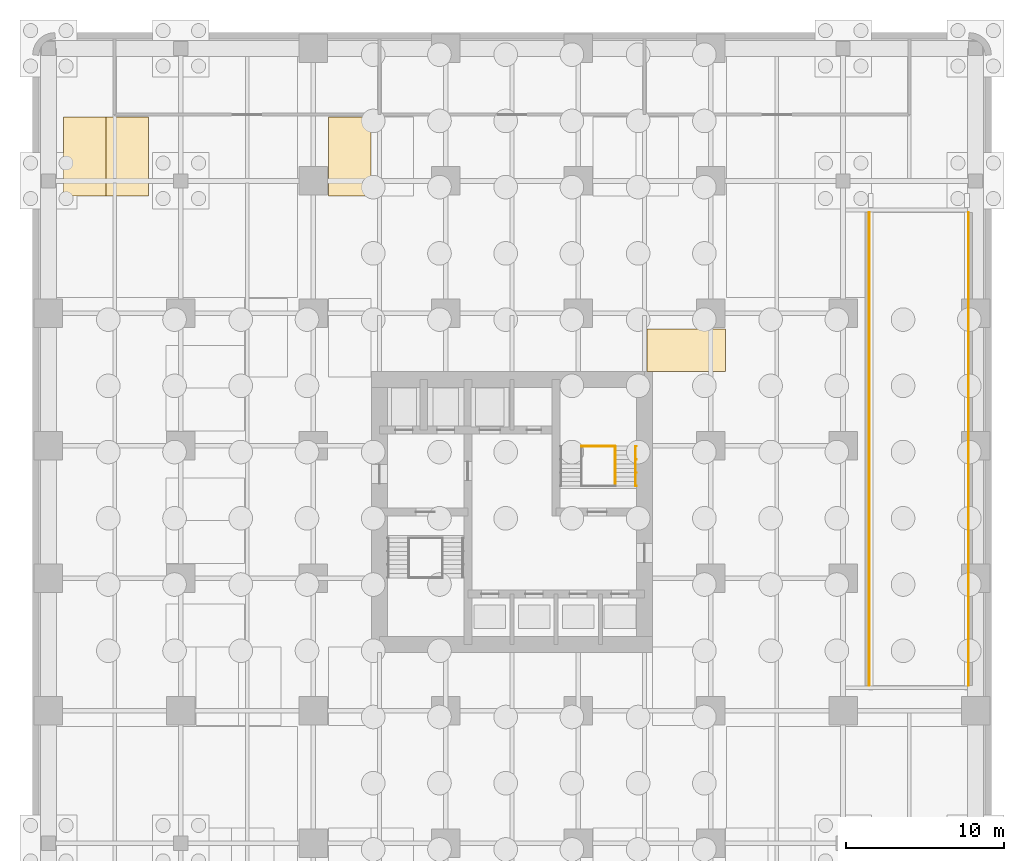
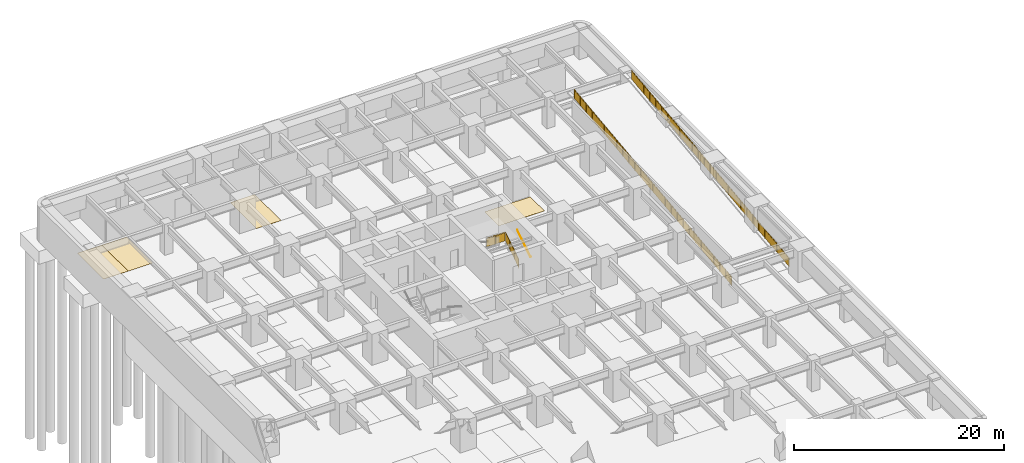
# One storey, part 9 of 11: 5 railings, 4 coverings.
"""IFC4 building model written with IfcOpenShell, lengths in metres."""

from ifc_helpers import new_model, si_unit, direction, frame, origin, origin_2d, place, context, subcontext, project, spatial, polyline, circle, outline, extrude, material, layer, layer_set, type_object, element, save


model = new_model("IFC4")

# Units and contexts
model_context = context("Model", 3, precision=1e-05, world=origin(), true_north=direction((0.0, 1.0)))
body_context = subcontext(model_context, "Body", "Model", "MODEL_VIEW")
ifc_project = project(units=[si_unit("LENGTHUNIT", "METRE"), si_unit("AREAUNIT", "SQUARE_METRE"), si_unit("VOLUMEUNIT", "CUBIC_METRE"), si_unit("PLANEANGLEUNIT", "RADIAN"), si_unit("MASSUNIT", "GRAM", prefix="KILO")], contexts=[model_context])

# Site, building, storey
site_placement = place(None, origin())
site = spatial("IfcSite", under=ifc_project, at=site_placement, CompositionType="ELEMENT")
building_placement = place(site_placement, origin())
building = spatial("IfcBuilding", under=site, at=building_placement, Name="Torre Alcanfor", CompositionType="ELEMENT")
storey_placement = place(building_placement, frame((0.0, 0.0, -7.199951171875)))
storey = spatial("IfcBuildingStorey", under=building, at=storey_placement, Name="B2", CompositionType="ELEMENT", Elevation=-7.199951171875)

# Coverings
ifc_material_1 = material(Name="Line-marking paint on sealed concrete", Category="concrete")
ifc_layer = layer(ifc_material_1, 0.0029296875)
ifc_layer_set = layer_set([ifc_layer], Name="Parking bay marking 2700x5000")
covering_type = type_object("IfcCoveringType", Name="Parking bay marking 2700x5000", PredefinedType="USERDEFINED", material=ifc_layer_set)
covering_1_placement = place(storey_placement, origin())
element("IfcCovering", 1, at=covering_1_placement, inside=storey, type_object=covering_type, Name="Parking bay 240", ObjectType="PARKING BAY", PredefinedType="USERDEFINED", context=body_context, shape_type="SweptSolid", body=[
    extrude(outline(polyline([(37.949951171875, 38.300048828125), (42.949951171875, 38.300048828125), (42.949951171875, 41.0), (37.949951171875, 41.0), (37.949951171875, 38.300048828125)])), origin(), (0.0, 0.0, 1.0), 0.0029296875),
])
covering_2_placement = place(storey_placement, origin())
element("IfcCovering", 2, at=covering_2_placement, inside=storey, type_object=covering_type, Name="Parking bay 241", ObjectType="PARKING BAY", PredefinedType="USERDEFINED", context=body_context, shape_type="SweptSolid", body=[
    extrude(outline(polyline([(0.949951171875, 49.449951171875), (3.64990234375, 49.449951171875), (3.64990234375, 54.449951171875), (0.949951171875, 54.449951171875), (0.949951171875, 49.449951171875)])), origin(), (0.0, 0.0, 1.0), 0.0029296875),
])
covering_3_placement = place(storey_placement, origin())
element("IfcCovering", 3, at=covering_3_placement, inside=storey, type_object=covering_type, Name="Parking bay 242", ObjectType="PARKING BAY", PredefinedType="USERDEFINED", context=body_context, shape_type="SweptSolid", body=[
    extrude(outline(polyline([(3.64990234375, 49.449951171875), (6.35009765625, 49.449951171875), (6.35009765625, 54.449951171875), (3.64990234375, 54.449951171875), (3.64990234375, 49.449951171875)])), origin(), (0.0, 0.0, 1.0), 0.0029296875),
])
covering_4_placement = place(storey_placement, origin())
element("IfcCovering", 4, at=covering_4_placement, inside=storey, type_object=covering_type, Name="Parking bay 243", ObjectType="PARKING BAY", PredefinedType="USERDEFINED", context=body_context, shape_type="SweptSolid", body=[
    extrude(outline(polyline([(17.75, 49.449951171875), (20.449951171875, 49.449951171875), (20.449951171875, 54.449951171875), (17.75, 54.449951171875), (17.75, 49.449951171875)])), origin(), (0.0, 0.0, 1.0), 0.0029296875),
])

# Railings
ifc_material_2 = material(Name="Steel ASTM A500 Grade C hollow sections, hot-dip galvanised ASTM A123", Category="steel")
railing_type_1 = type_object("IfcRailingType", Name="Ramp guard 1100", PredefinedType="GUARDRAIL", material=ifc_material_2)
railing_1_placement = place(storey_placement, frame((52.050048828125, 18.39990234375, 0.14990234375)))
element("IfcRailing", 5, at=railing_1_placement, inside=storey, type_object=railing_type_1, Name="Ramp guard R2 1", PredefinedType="GUARDRAIL", context=body_context, shape_type="SweptSolid", body=[
    extrude(circle(Radius=0.02392578125, at=origin_2d()), frame((0.0, 0.0, 1.076171875), z_axis=(0.0, 0.992876456145, 0.119148406757), x_axis=(-1.0, 0.0, 0.0)), (0.0, 0.0, 1.0), 30.21533203125),
    extrude(circle(Radius=0.02099609375, at=origin_2d()), origin(), (0.0, 0.0, 1.0), 1.052001953125),
    extrude(circle(Radius=0.02099609375, at=origin_2d()), frame((0.0, 1.15380859375, 0.138427734375)), (0.0, 0.0, 1.0), 1.052001953125),
    extrude(circle(Radius=0.02099609375, at=origin_2d()), frame((0.0, 2.3076171875, 0.27685546875)), (0.0, 0.0, 1.0), 1.052001953125),
    extrude(circle(Radius=0.02099609375, at=origin_2d()), frame((0.0, 3.46142578125, 0.415283203125)), (0.0, 0.0, 1.0), 1.052001953125),
    extrude(circle(Radius=0.02099609375, at=origin_2d()), frame((0.0, 4.615478515625, 0.553955078125)), (0.0, 0.0, 1.0), 1.052001953125),
    extrude(circle(Radius=0.02099609375, at=origin_2d()), frame((0.0, 5.769287109375, 0.6923828125)), (0.0, 0.0, 1.0), 1.052001953125),
    extrude(circle(Radius=0.02099609375, at=origin_2d()), frame((0.0, 6.923095703125, 0.830810546875)), (0.0, 0.0, 1.0), 1.052001953125),
    extrude(circle(Radius=0.02099609375, at=origin_2d()), frame((0.0, 8.076904296875, 0.96923828125)), (0.0, 0.0, 1.0), 1.052001953125),
    extrude(circle(Radius=0.02099609375, at=origin_2d()), frame((0.0, 9.230712890625, 1.107666015625)), (0.0, 0.0, 1.0), 1.052001953125),
    extrude(circle(Radius=0.02099609375, at=origin_2d()), frame((0.0, 10.384521484375, 1.24609375)), (0.0, 0.0, 1.0), 1.052001953125),
    extrude(circle(Radius=0.02099609375, at=origin_2d()), frame((0.0, 11.53857421875, 1.384765625)), (0.0, 0.0, 1.0), 1.052001953125),
    extrude(circle(Radius=0.02099609375, at=origin_2d()), frame((0.0, 12.6923828125, 1.523193359375)), (0.0, 0.0, 1.0), 1.052001953125),
    extrude(circle(Radius=0.02099609375, at=origin_2d()), frame((0.0, 13.84619140625, 1.66162109375)), (0.0, 0.0, 1.0), 1.052001953125),
    extrude(circle(Radius=0.02099609375, at=origin_2d()), frame((0.0, 15.0, 1.800048828125)), (0.0, 0.0, 1.0), 1.052001953125),
    extrude(circle(Radius=0.02099609375, at=origin_2d()), frame((0.0, 16.15380859375, 1.9384765625)), (0.0, 0.0, 1.0), 1.052001953125),
    extrude(circle(Radius=0.02099609375, at=origin_2d()), frame((0.0, 17.3076171875, 2.076904296875)), (0.0, 0.0, 1.0), 1.052001953125),
    extrude(circle(Radius=0.02099609375, at=origin_2d()), frame((0.0, 18.46142578125, 2.21533203125)), (0.0, 0.0, 1.0), 1.052001953125),
    extrude(circle(Radius=0.02099609375, at=origin_2d()), frame((0.0, 19.615478515625, 2.35400390625)), (0.0, 0.0, 1.0), 1.052001953125),
    extrude(circle(Radius=0.02099609375, at=origin_2d()), frame((0.0, 20.769287109375, 2.492431640625)), (0.0, 0.0, 1.0), 1.052001953125),
    extrude(circle(Radius=0.02099609375, at=origin_2d()), frame((0.0, 21.923095703125, 2.630859375)), (0.0, 0.0, 1.0), 1.052001953125),
    extrude(circle(Radius=0.02099609375, at=origin_2d()), frame((0.0, 23.076904296875, 2.769287109375)), (0.0, 0.0, 1.0), 1.052001953125),
    extrude(circle(Radius=0.02099609375, at=origin_2d()), frame((0.0, 24.230712890625, 2.90771484375)), (0.0, 0.0, 1.0), 1.052001953125),
    extrude(circle(Radius=0.02099609375, at=origin_2d()), frame((0.0, 25.384521484375, 3.046142578125)), (0.0, 0.0, 1.0), 1.052001953125),
    extrude(circle(Radius=0.02099609375, at=origin_2d()), frame((0.0, 26.53857421875, 3.184814453125)), (0.0, 0.0, 1.0), 1.052001953125),
    extrude(circle(Radius=0.02099609375, at=origin_2d()), frame((0.0, 27.6923828125, 3.3232421875)), (0.0, 0.0, 1.0), 1.052001953125),
    extrude(circle(Radius=0.02099609375, at=origin_2d()), frame((0.0, 28.84619140625, 3.461669921875)), (0.0, 0.0, 1.0), 1.052001953125),
    extrude(circle(Radius=0.02099609375, at=origin_2d()), frame((0.0, 30.0, 3.60009765625)), (0.0, 0.0, 1.0), 1.052001953125),
    extrude(outline(polyline([(0.041015625, 0.054931640625), (1.11279296875, 0.18359375), (1.11279296875, 1.135498046875), (0.041015625, 1.0068359375), (0.041015625, 0.054931640625)])), frame((-0.005859375, 0.0, 0.0), z_axis=(1.0, 0.0, 0.0), x_axis=(0.0, 1.0, 0.0)), (0.0, 0.0, 1.0), 0.011962890625),
    extrude(outline(polyline([(1.19482421875, 0.193359375), (2.2666015625, 0.322021484375), (2.2666015625, 1.27392578125), (1.19482421875, 1.145263671875), (1.19482421875, 0.193359375)])), frame((-0.005859375, 0.0, 0.0), z_axis=(1.0, 0.0, 0.0), x_axis=(0.0, 1.0, 0.0)), (0.0, 0.0, 1.0), 0.011962890625),
    extrude(outline(polyline([(2.3486328125, 0.331787109375), (3.420654296875, 0.46044921875), (3.420654296875, 1.41259765625), (2.3486328125, 1.283935546875), (2.3486328125, 0.331787109375)])), frame((-0.005859375, 0.0, 0.0), z_axis=(1.0, 0.0, 0.0), x_axis=(0.0, 1.0, 0.0)), (0.0, 0.0, 1.0), 0.011962890625),
    extrude(outline(polyline([(3.50244140625, 0.47021484375), (4.574462890625, 0.598876953125), (4.574462890625, 1.551025390625), (3.50244140625, 1.42236328125), (3.50244140625, 0.47021484375)])), frame((-0.005859375, 0.0, 0.0), z_axis=(1.0, 0.0, 0.0), x_axis=(0.0, 1.0, 0.0)), (0.0, 0.0, 1.0), 0.011962890625),
    extrude(outline(polyline([(4.656494140625, 0.60888671875), (5.728271484375, 0.7373046875), (5.728271484375, 1.689453125), (4.656494140625, 1.560791015625), (4.656494140625, 0.60888671875)])), frame((-0.005859375, 0.0, 0.0), z_axis=(1.0, 0.0, 0.0), x_axis=(0.0, 1.0, 0.0)), (0.0, 0.0, 1.0), 0.011962890625),
    extrude(outline(polyline([(5.810302734375, 0.747314453125), (6.882080078125, 0.8759765625), (6.882080078125, 1.827880859375), (5.810302734375, 1.69921875), (5.810302734375, 0.747314453125)])), frame((-0.005859375, 0.0, 0.0), z_axis=(1.0, 0.0, 0.0), x_axis=(0.0, 1.0, 0.0)), (0.0, 0.0, 1.0), 0.011962890625),
    extrude(outline(polyline([(6.964111328125, 0.8857421875), (8.035888671875, 1.014404296875), (8.035888671875, 1.96630859375), (6.964111328125, 1.837646484375), (6.964111328125, 0.8857421875)])), frame((-0.005859375, 0.0, 0.0), z_axis=(1.0, 0.0, 0.0), x_axis=(0.0, 1.0, 0.0)), (0.0, 0.0, 1.0), 0.011962890625),
    extrude(outline(polyline([(8.117919921875, 1.024169921875), (9.189697265625, 1.15283203125), (9.189697265625, 2.104736328125), (8.117919921875, 1.97607421875), (8.117919921875, 1.024169921875)])), frame((-0.005859375, 0.0, 0.0), z_axis=(1.0, 0.0, 0.0), x_axis=(0.0, 1.0, 0.0)), (0.0, 0.0, 1.0), 0.011962890625),
    extrude(outline(polyline([(9.271728515625, 1.16259765625), (10.343505859375, 1.291259765625), (10.343505859375, 2.2431640625), (9.271728515625, 2.11474609375), (9.271728515625, 1.16259765625)])), frame((-0.005859375, 0.0, 0.0), z_axis=(1.0, 0.0, 0.0), x_axis=(0.0, 1.0, 0.0)), (0.0, 0.0, 1.0), 0.011962890625),
    extrude(outline(polyline([(10.425537109375, 1.301025390625), (11.49755859375, 1.4296875), (11.49755859375, 2.3818359375), (10.425537109375, 2.253173828125), (10.425537109375, 1.301025390625)])), frame((-0.005859375, 0.0, 0.0), z_axis=(1.0, 0.0, 0.0), x_axis=(0.0, 1.0, 0.0)), (0.0, 0.0, 1.0), 0.011962890625),
    extrude(outline(polyline([(11.579345703125, 1.439453125), (12.6513671875, 1.568115234375), (12.6513671875, 2.520263671875), (11.579345703125, 2.3916015625), (11.579345703125, 1.439453125)])), frame((-0.005859375, 0.0, 0.0), z_axis=(1.0, 0.0, 0.0), x_axis=(0.0, 1.0, 0.0)), (0.0, 0.0, 1.0), 0.011962890625),
    extrude(outline(polyline([(12.7333984375, 1.578125), (13.80517578125, 1.70654296875), (13.80517578125, 2.65869140625), (12.7333984375, 2.530029296875), (12.7333984375, 1.578125)])), frame((-0.005859375, 0.0, 0.0), z_axis=(1.0, 0.0, 0.0), x_axis=(0.0, 1.0, 0.0)), (0.0, 0.0, 1.0), 0.011962890625),
    extrude(outline(polyline([(13.88720703125, 1.716552734375), (14.958984375, 1.84521484375), (14.958984375, 2.797119140625), (13.88720703125, 2.66845703125), (13.88720703125, 1.716552734375)])), frame((-0.005859375, 0.0, 0.0), z_axis=(1.0, 0.0, 0.0), x_axis=(0.0, 1.0, 0.0)), (0.0, 0.0, 1.0), 0.011962890625),
    extrude(outline(polyline([(15.041015625, 1.85498046875), (16.11279296875, 1.983642578125), (16.11279296875, 2.935546875), (15.041015625, 2.806884765625), (15.041015625, 1.85498046875)])), frame((-0.005859375, 0.0, 0.0), z_axis=(1.0, 0.0, 0.0), x_axis=(0.0, 1.0, 0.0)), (0.0, 0.0, 1.0), 0.011962890625),
    extrude(outline(polyline([(16.19482421875, 1.993408203125), (17.2666015625, 2.1220703125), (17.2666015625, 3.073974609375), (16.19482421875, 2.9453125), (16.19482421875, 1.993408203125)])), frame((-0.005859375, 0.0, 0.0), z_axis=(1.0, 0.0, 0.0), x_axis=(0.0, 1.0, 0.0)), (0.0, 0.0, 1.0), 0.011962890625),
    extrude(outline(polyline([(17.3486328125, 2.1318359375), (18.420654296875, 2.260498046875), (18.420654296875, 3.212646484375), (17.3486328125, 3.083984375), (17.3486328125, 2.1318359375)])), frame((-0.005859375, 0.0, 0.0), z_axis=(1.0, 0.0, 0.0), x_axis=(0.0, 1.0, 0.0)), (0.0, 0.0, 1.0), 0.011962890625),
    extrude(outline(polyline([(18.50244140625, 2.270263671875), (19.574462890625, 2.39892578125), (19.574462890625, 3.35107421875), (18.50244140625, 3.222412109375), (18.50244140625, 2.270263671875)])), frame((-0.005859375, 0.0, 0.0), z_axis=(1.0, 0.0, 0.0), x_axis=(0.0, 1.0, 0.0)), (0.0, 0.0, 1.0), 0.011962890625),
    extrude(outline(polyline([(19.656494140625, 2.408935546875), (20.728271484375, 2.537353515625), (20.728271484375, 3.489501953125), (19.656494140625, 3.36083984375), (19.656494140625, 2.408935546875)])), frame((-0.005859375, 0.0, 0.0), z_axis=(1.0, 0.0, 0.0), x_axis=(0.0, 1.0, 0.0)), (0.0, 0.0, 1.0), 0.011962890625),
    extrude(outline(polyline([(20.810302734375, 2.54736328125), (21.882080078125, 2.676025390625), (21.882080078125, 3.6279296875), (20.810302734375, 3.499267578125), (20.810302734375, 2.54736328125)])), frame((-0.005859375, 0.0, 0.0), z_axis=(1.0, 0.0, 0.0), x_axis=(0.0, 1.0, 0.0)), (0.0, 0.0, 1.0), 0.011962890625),
    extrude(outline(polyline([(21.964111328125, 2.685791015625), (23.035888671875, 2.814453125), (23.035888671875, 3.766357421875), (21.964111328125, 3.6376953125), (21.964111328125, 2.685791015625)])), frame((-0.005859375, 0.0, 0.0), z_axis=(1.0, 0.0, 0.0), x_axis=(0.0, 1.0, 0.0)), (0.0, 0.0, 1.0), 0.011962890625),
    extrude(outline(polyline([(23.117919921875, 2.82421875), (24.189697265625, 2.952880859375), (24.189697265625, 3.90478515625), (23.117919921875, 3.776123046875), (23.117919921875, 2.82421875)])), frame((-0.005859375, 0.0, 0.0), z_axis=(1.0, 0.0, 0.0), x_axis=(0.0, 1.0, 0.0)), (0.0, 0.0, 1.0), 0.011962890625),
    extrude(outline(polyline([(24.271728515625, 2.962646484375), (25.343505859375, 3.09130859375), (25.343505859375, 4.043212890625), (24.271728515625, 3.914794921875), (24.271728515625, 2.962646484375)])), frame((-0.005859375, 0.0, 0.0), z_axis=(1.0, 0.0, 0.0), x_axis=(0.0, 1.0, 0.0)), (0.0, 0.0, 1.0), 0.011962890625),
    extrude(outline(polyline([(25.425537109375, 3.10107421875), (26.49755859375, 3.229736328125), (26.49755859375, 4.181884765625), (25.425537109375, 4.05322265625), (25.425537109375, 3.10107421875)])), frame((-0.005859375, 0.0, 0.0), z_axis=(1.0, 0.0, 0.0), x_axis=(0.0, 1.0, 0.0)), (0.0, 0.0, 1.0), 0.011962890625),
    extrude(outline(polyline([(26.579345703125, 3.239501953125), (27.6513671875, 3.3681640625), (27.6513671875, 4.3203125), (26.579345703125, 4.191650390625), (26.579345703125, 3.239501953125)])), frame((-0.005859375, 0.0, 0.0), z_axis=(1.0, 0.0, 0.0), x_axis=(0.0, 1.0, 0.0)), (0.0, 0.0, 1.0), 0.011962890625),
    extrude(outline(polyline([(27.7333984375, 3.378173828125), (28.80517578125, 3.506591796875), (28.80517578125, 4.458740234375), (27.7333984375, 4.330078125), (27.7333984375, 3.378173828125)])), frame((-0.005859375, 0.0, 0.0), z_axis=(1.0, 0.0, 0.0), x_axis=(0.0, 1.0, 0.0)), (0.0, 0.0, 1.0), 0.011962890625),
    extrude(outline(polyline([(28.88720703125, 3.5166015625), (29.958984375, 3.645263671875), (29.958984375, 4.59716796875), (28.88720703125, 4.468505859375), (28.88720703125, 3.5166015625)])), frame((-0.005859375, 0.0, 0.0), z_axis=(1.0, 0.0, 0.0), x_axis=(0.0, 1.0, 0.0)), (0.0, 0.0, 1.0), 0.011962890625),
])
railing_2_placement = place(storey_placement, frame((58.35009765625, 18.39990234375, 0.14990234375)))
element("IfcRailing", 6, at=railing_2_placement, inside=storey, type_object=railing_type_1, Name="Ramp guard R2 2", PredefinedType="GUARDRAIL", context=body_context, shape_type="SweptSolid", body=[
    extrude(circle(Radius=0.02392578125, at=origin_2d()), frame((0.0, 0.0, 1.076171875), z_axis=(0.0, 0.992876456145, 0.119148406757), x_axis=(-1.0, 0.0, 0.0)), (0.0, 0.0, 1.0), 30.21533203125),
    extrude(circle(Radius=0.02099609375, at=origin_2d()), origin(), (0.0, 0.0, 1.0), 1.052001953125),
    extrude(circle(Radius=0.02099609375, at=origin_2d()), frame((0.0, 1.15380859375, 0.138427734375)), (0.0, 0.0, 1.0), 1.052001953125),
    extrude(circle(Radius=0.02099609375, at=origin_2d()), frame((0.0, 2.3076171875, 0.27685546875)), (0.0, 0.0, 1.0), 1.052001953125),
    extrude(circle(Radius=0.02099609375, at=origin_2d()), frame((0.0, 3.46142578125, 0.415283203125)), (0.0, 0.0, 1.0), 1.052001953125),
    extrude(circle(Radius=0.02099609375, at=origin_2d()), frame((0.0, 4.615478515625, 0.553955078125)), (0.0, 0.0, 1.0), 1.052001953125),
    extrude(circle(Radius=0.02099609375, at=origin_2d()), frame((0.0, 5.769287109375, 0.6923828125)), (0.0, 0.0, 1.0), 1.052001953125),
    extrude(circle(Radius=0.02099609375, at=origin_2d()), frame((0.0, 6.923095703125, 0.830810546875)), (0.0, 0.0, 1.0), 1.052001953125),
    extrude(circle(Radius=0.02099609375, at=origin_2d()), frame((0.0, 8.076904296875, 0.96923828125)), (0.0, 0.0, 1.0), 1.052001953125),
    extrude(circle(Radius=0.02099609375, at=origin_2d()), frame((0.0, 9.230712890625, 1.107666015625)), (0.0, 0.0, 1.0), 1.052001953125),
    extrude(circle(Radius=0.02099609375, at=origin_2d()), frame((0.0, 10.384521484375, 1.24609375)), (0.0, 0.0, 1.0), 1.052001953125),
    extrude(circle(Radius=0.02099609375, at=origin_2d()), frame((0.0, 11.53857421875, 1.384765625)), (0.0, 0.0, 1.0), 1.052001953125),
    extrude(circle(Radius=0.02099609375, at=origin_2d()), frame((0.0, 12.6923828125, 1.523193359375)), (0.0, 0.0, 1.0), 1.052001953125),
    extrude(circle(Radius=0.02099609375, at=origin_2d()), frame((0.0, 13.84619140625, 1.66162109375)), (0.0, 0.0, 1.0), 1.052001953125),
    extrude(circle(Radius=0.02099609375, at=origin_2d()), frame((0.0, 15.0, 1.800048828125)), (0.0, 0.0, 1.0), 1.052001953125),
    extrude(circle(Radius=0.02099609375, at=origin_2d()), frame((0.0, 16.15380859375, 1.9384765625)), (0.0, 0.0, 1.0), 1.052001953125),
    extrude(circle(Radius=0.02099609375, at=origin_2d()), frame((0.0, 17.3076171875, 2.076904296875)), (0.0, 0.0, 1.0), 1.052001953125),
    extrude(circle(Radius=0.02099609375, at=origin_2d()), frame((0.0, 18.46142578125, 2.21533203125)), (0.0, 0.0, 1.0), 1.052001953125),
    extrude(circle(Radius=0.02099609375, at=origin_2d()), frame((0.0, 19.615478515625, 2.35400390625)), (0.0, 0.0, 1.0), 1.052001953125),
    extrude(circle(Radius=0.02099609375, at=origin_2d()), frame((0.0, 20.769287109375, 2.492431640625)), (0.0, 0.0, 1.0), 1.052001953125),
    extrude(circle(Radius=0.02099609375, at=origin_2d()), frame((0.0, 21.923095703125, 2.630859375)), (0.0, 0.0, 1.0), 1.052001953125),
    extrude(circle(Radius=0.02099609375, at=origin_2d()), frame((0.0, 23.076904296875, 2.769287109375)), (0.0, 0.0, 1.0), 1.052001953125),
    extrude(circle(Radius=0.02099609375, at=origin_2d()), frame((0.0, 24.230712890625, 2.90771484375)), (0.0, 0.0, 1.0), 1.052001953125),
    extrude(circle(Radius=0.02099609375, at=origin_2d()), frame((0.0, 25.384521484375, 3.046142578125)), (0.0, 0.0, 1.0), 1.052001953125),
    extrude(circle(Radius=0.02099609375, at=origin_2d()), frame((0.0, 26.53857421875, 3.184814453125)), (0.0, 0.0, 1.0), 1.052001953125),
    extrude(circle(Radius=0.02099609375, at=origin_2d()), frame((0.0, 27.6923828125, 3.3232421875)), (0.0, 0.0, 1.0), 1.052001953125),
    extrude(circle(Radius=0.02099609375, at=origin_2d()), frame((0.0, 28.84619140625, 3.461669921875)), (0.0, 0.0, 1.0), 1.052001953125),
    extrude(circle(Radius=0.02099609375, at=origin_2d()), frame((0.0, 30.0, 3.60009765625)), (0.0, 0.0, 1.0), 1.052001953125),
    extrude(outline(polyline([(0.041015625, 0.054931640625), (1.11279296875, 0.18359375), (1.11279296875, 1.135498046875), (0.041015625, 1.0068359375), (0.041015625, 0.054931640625)])), frame((-0.005859375, 0.0, 0.0), z_axis=(1.0, 0.0, 0.0), x_axis=(0.0, 1.0, 0.0)), (0.0, 0.0, 1.0), 0.011962890625),
    extrude(outline(polyline([(1.19482421875, 0.193359375), (2.2666015625, 0.322021484375), (2.2666015625, 1.27392578125), (1.19482421875, 1.145263671875), (1.19482421875, 0.193359375)])), frame((-0.005859375, 0.0, 0.0), z_axis=(1.0, 0.0, 0.0), x_axis=(0.0, 1.0, 0.0)), (0.0, 0.0, 1.0), 0.011962890625),
    extrude(outline(polyline([(2.3486328125, 0.331787109375), (3.420654296875, 0.46044921875), (3.420654296875, 1.41259765625), (2.3486328125, 1.283935546875), (2.3486328125, 0.331787109375)])), frame((-0.005859375, 0.0, 0.0), z_axis=(1.0, 0.0, 0.0), x_axis=(0.0, 1.0, 0.0)), (0.0, 0.0, 1.0), 0.011962890625),
    extrude(outline(polyline([(3.50244140625, 0.47021484375), (4.574462890625, 0.598876953125), (4.574462890625, 1.551025390625), (3.50244140625, 1.42236328125), (3.50244140625, 0.47021484375)])), frame((-0.005859375, 0.0, 0.0), z_axis=(1.0, 0.0, 0.0), x_axis=(0.0, 1.0, 0.0)), (0.0, 0.0, 1.0), 0.011962890625),
    extrude(outline(polyline([(4.656494140625, 0.60888671875), (5.728271484375, 0.7373046875), (5.728271484375, 1.689453125), (4.656494140625, 1.560791015625), (4.656494140625, 0.60888671875)])), frame((-0.005859375, 0.0, 0.0), z_axis=(1.0, 0.0, 0.0), x_axis=(0.0, 1.0, 0.0)), (0.0, 0.0, 1.0), 0.011962890625),
    extrude(outline(polyline([(5.810302734375, 0.747314453125), (6.882080078125, 0.8759765625), (6.882080078125, 1.827880859375), (5.810302734375, 1.69921875), (5.810302734375, 0.747314453125)])), frame((-0.005859375, 0.0, 0.0), z_axis=(1.0, 0.0, 0.0), x_axis=(0.0, 1.0, 0.0)), (0.0, 0.0, 1.0), 0.011962890625),
    extrude(outline(polyline([(6.964111328125, 0.8857421875), (8.035888671875, 1.014404296875), (8.035888671875, 1.96630859375), (6.964111328125, 1.837646484375), (6.964111328125, 0.8857421875)])), frame((-0.005859375, 0.0, 0.0), z_axis=(1.0, 0.0, 0.0), x_axis=(0.0, 1.0, 0.0)), (0.0, 0.0, 1.0), 0.011962890625),
    extrude(outline(polyline([(8.117919921875, 1.024169921875), (9.189697265625, 1.15283203125), (9.189697265625, 2.104736328125), (8.117919921875, 1.97607421875), (8.117919921875, 1.024169921875)])), frame((-0.005859375, 0.0, 0.0), z_axis=(1.0, 0.0, 0.0), x_axis=(0.0, 1.0, 0.0)), (0.0, 0.0, 1.0), 0.011962890625),
    extrude(outline(polyline([(9.271728515625, 1.16259765625), (10.343505859375, 1.291259765625), (10.343505859375, 2.2431640625), (9.271728515625, 2.11474609375), (9.271728515625, 1.16259765625)])), frame((-0.005859375, 0.0, 0.0), z_axis=(1.0, 0.0, 0.0), x_axis=(0.0, 1.0, 0.0)), (0.0, 0.0, 1.0), 0.011962890625),
    extrude(outline(polyline([(10.425537109375, 1.301025390625), (11.49755859375, 1.4296875), (11.49755859375, 2.3818359375), (10.425537109375, 2.253173828125), (10.425537109375, 1.301025390625)])), frame((-0.005859375, 0.0, 0.0), z_axis=(1.0, 0.0, 0.0), x_axis=(0.0, 1.0, 0.0)), (0.0, 0.0, 1.0), 0.011962890625),
    extrude(outline(polyline([(11.579345703125, 1.439453125), (12.6513671875, 1.568115234375), (12.6513671875, 2.520263671875), (11.579345703125, 2.3916015625), (11.579345703125, 1.439453125)])), frame((-0.005859375, 0.0, 0.0), z_axis=(1.0, 0.0, 0.0), x_axis=(0.0, 1.0, 0.0)), (0.0, 0.0, 1.0), 0.011962890625),
    extrude(outline(polyline([(12.7333984375, 1.578125), (13.80517578125, 1.70654296875), (13.80517578125, 2.65869140625), (12.7333984375, 2.530029296875), (12.7333984375, 1.578125)])), frame((-0.005859375, 0.0, 0.0), z_axis=(1.0, 0.0, 0.0), x_axis=(0.0, 1.0, 0.0)), (0.0, 0.0, 1.0), 0.011962890625),
    extrude(outline(polyline([(13.88720703125, 1.716552734375), (14.958984375, 1.84521484375), (14.958984375, 2.797119140625), (13.88720703125, 2.66845703125), (13.88720703125, 1.716552734375)])), frame((-0.005859375, 0.0, 0.0), z_axis=(1.0, 0.0, 0.0), x_axis=(0.0, 1.0, 0.0)), (0.0, 0.0, 1.0), 0.011962890625),
    extrude(outline(polyline([(15.041015625, 1.85498046875), (16.11279296875, 1.983642578125), (16.11279296875, 2.935546875), (15.041015625, 2.806884765625), (15.041015625, 1.85498046875)])), frame((-0.005859375, 0.0, 0.0), z_axis=(1.0, 0.0, 0.0), x_axis=(0.0, 1.0, 0.0)), (0.0, 0.0, 1.0), 0.011962890625),
    extrude(outline(polyline([(16.19482421875, 1.993408203125), (17.2666015625, 2.1220703125), (17.2666015625, 3.073974609375), (16.19482421875, 2.9453125), (16.19482421875, 1.993408203125)])), frame((-0.005859375, 0.0, 0.0), z_axis=(1.0, 0.0, 0.0), x_axis=(0.0, 1.0, 0.0)), (0.0, 0.0, 1.0), 0.011962890625),
    extrude(outline(polyline([(17.3486328125, 2.1318359375), (18.420654296875, 2.260498046875), (18.420654296875, 3.212646484375), (17.3486328125, 3.083984375), (17.3486328125, 2.1318359375)])), frame((-0.005859375, 0.0, 0.0), z_axis=(1.0, 0.0, 0.0), x_axis=(0.0, 1.0, 0.0)), (0.0, 0.0, 1.0), 0.011962890625),
    extrude(outline(polyline([(18.50244140625, 2.270263671875), (19.574462890625, 2.39892578125), (19.574462890625, 3.35107421875), (18.50244140625, 3.222412109375), (18.50244140625, 2.270263671875)])), frame((-0.005859375, 0.0, 0.0), z_axis=(1.0, 0.0, 0.0), x_axis=(0.0, 1.0, 0.0)), (0.0, 0.0, 1.0), 0.011962890625),
    extrude(outline(polyline([(19.656494140625, 2.408935546875), (20.728271484375, 2.537353515625), (20.728271484375, 3.489501953125), (19.656494140625, 3.36083984375), (19.656494140625, 2.408935546875)])), frame((-0.005859375, 0.0, 0.0), z_axis=(1.0, 0.0, 0.0), x_axis=(0.0, 1.0, 0.0)), (0.0, 0.0, 1.0), 0.011962890625),
    extrude(outline(polyline([(20.810302734375, 2.54736328125), (21.882080078125, 2.676025390625), (21.882080078125, 3.6279296875), (20.810302734375, 3.499267578125), (20.810302734375, 2.54736328125)])), frame((-0.005859375, 0.0, 0.0), z_axis=(1.0, 0.0, 0.0), x_axis=(0.0, 1.0, 0.0)), (0.0, 0.0, 1.0), 0.011962890625),
    extrude(outline(polyline([(21.964111328125, 2.685791015625), (23.035888671875, 2.814453125), (23.035888671875, 3.766357421875), (21.964111328125, 3.6376953125), (21.964111328125, 2.685791015625)])), frame((-0.005859375, 0.0, 0.0), z_axis=(1.0, 0.0, 0.0), x_axis=(0.0, 1.0, 0.0)), (0.0, 0.0, 1.0), 0.011962890625),
    extrude(outline(polyline([(23.117919921875, 2.82421875), (24.189697265625, 2.952880859375), (24.189697265625, 3.90478515625), (23.117919921875, 3.776123046875), (23.117919921875, 2.82421875)])), frame((-0.005859375, 0.0, 0.0), z_axis=(1.0, 0.0, 0.0), x_axis=(0.0, 1.0, 0.0)), (0.0, 0.0, 1.0), 0.011962890625),
    extrude(outline(polyline([(24.271728515625, 2.962646484375), (25.343505859375, 3.09130859375), (25.343505859375, 4.043212890625), (24.271728515625, 3.914794921875), (24.271728515625, 2.962646484375)])), frame((-0.005859375, 0.0, 0.0), z_axis=(1.0, 0.0, 0.0), x_axis=(0.0, 1.0, 0.0)), (0.0, 0.0, 1.0), 0.011962890625),
    extrude(outline(polyline([(25.425537109375, 3.10107421875), (26.49755859375, 3.229736328125), (26.49755859375, 4.181884765625), (25.425537109375, 4.05322265625), (25.425537109375, 3.10107421875)])), frame((-0.005859375, 0.0, 0.0), z_axis=(1.0, 0.0, 0.0), x_axis=(0.0, 1.0, 0.0)), (0.0, 0.0, 1.0), 0.011962890625),
    extrude(outline(polyline([(26.579345703125, 3.239501953125), (27.6513671875, 3.3681640625), (27.6513671875, 4.3203125), (26.579345703125, 4.191650390625), (26.579345703125, 3.239501953125)])), frame((-0.005859375, 0.0, 0.0), z_axis=(1.0, 0.0, 0.0), x_axis=(0.0, 1.0, 0.0)), (0.0, 0.0, 1.0), 0.011962890625),
    extrude(outline(polyline([(27.7333984375, 3.378173828125), (28.80517578125, 3.506591796875), (28.80517578125, 4.458740234375), (27.7333984375, 4.330078125), (27.7333984375, 3.378173828125)])), frame((-0.005859375, 0.0, 0.0), z_axis=(1.0, 0.0, 0.0), x_axis=(0.0, 1.0, 0.0)), (0.0, 0.0, 1.0), 0.011962890625),
    extrude(outline(polyline([(28.88720703125, 3.5166015625), (29.958984375, 3.645263671875), (29.958984375, 4.59716796875), (28.88720703125, 4.468505859375), (28.88720703125, 3.5166015625)])), frame((-0.005859375, 0.0, 0.0), z_axis=(1.0, 0.0, 0.0), x_axis=(0.0, 1.0, 0.0)), (0.0, 0.0, 1.0), 0.011962890625),
])
ifc_material_3 = material(Name="Steel ASTM A500 Grade C hollow sections", Category="steel")
railing_type_2 = type_object("IfcRailingType", Name="Stair guard and handrail 1100", PredefinedType="GUARDRAIL", material=ifc_material_3)
railing_3_placement = place(storey_placement, frame((35.949951171875, 31.050048828125, 0.179931640625)))
element("IfcRailing", 7, at=railing_3_placement, inside=storey, type_object=railing_type_2, Name="Stair guard S2 B2 flight 1", PredefinedType="GUARDRAIL", context=body_context, shape_type="SweptSolid", body=[
    extrude(circle(Radius=0.02392578125, at=origin_2d()), frame((0.0, 0.0, 1.076171875), z_axis=(0.0, 0.841162588446, 0.540782303519), x_axis=(-1.0, 0.0, 0.0)), (0.0, 0.0, 1.0), 2.995849609375),
    extrude(circle(Radius=0.02099609375, at=origin_2d()), origin(), (0.0, 0.0, 1.0), 1.052001953125),
    extrude(circle(Radius=0.02099609375, at=origin_2d()), frame((0.0, 0.840087890625, 0.5400390625)), (0.0, 0.0, 1.0), 1.052001953125),
    extrude(circle(Radius=0.02099609375, at=origin_2d()), frame((0.0, 1.679931640625, 1.080078125)), (0.0, 0.0, 1.0), 1.052001953125),
    extrude(circle(Radius=0.02099609375, at=origin_2d()), frame((0.0, 2.52001953125, 1.6201171875)), (0.0, 0.0, 1.0), 1.052001953125),
    extrude(outline(polyline([(0.041015625, 0.076416015625), (0.799072265625, 0.563720703125), (0.799072265625, 1.515625), (0.041015625, 1.0283203125), (0.041015625, 0.076416015625)])), frame((-0.005859375, 0.0, 0.0), z_axis=(1.0, 0.0, 0.0), x_axis=(0.0, 1.0, 0.0)), (0.0, 0.0, 1.0), 0.011962890625),
    extrude(outline(polyline([(0.881103515625, 0.616455078125), (1.638916015625, 1.103759765625), (1.638916015625, 2.0556640625), (0.881103515625, 1.568359375), (0.881103515625, 0.616455078125)])), frame((-0.005859375, 0.0, 0.0), z_axis=(1.0, 0.0, 0.0), x_axis=(0.0, 1.0, 0.0)), (0.0, 0.0, 1.0), 0.011962890625),
    extrude(outline(polyline([(1.720947265625, 1.156494140625), (2.47900390625, 1.643798828125), (2.47900390625, 2.595703125), (1.720947265625, 2.1083984375), (1.720947265625, 1.156494140625)])), frame((-0.005859375, 0.0, 0.0), z_axis=(1.0, 0.0, 0.0), x_axis=(0.0, 1.0, 0.0)), (0.0, 0.0, 1.0), 0.011962890625),
])
railing_4_placement = place(storey_placement, frame((33.800048828125, 33.570068359375, 1.800048828125)))
element("IfcRailing", 8, at=railing_4_placement, inside=storey, type_object=railing_type_2, Name="Stair well guard S2 B2 half landing", PredefinedType="GUARDRAIL", context=body_context, shape_type="SweptSolid", body=[
    extrude(circle(Radius=0.02392578125, at=origin_2d()), frame((0.0, 0.0, 1.076171875), z_axis=(1.0, 0.0, 0.0), x_axis=(0.0, 1.0, 0.0)), (0.0, 0.0, 1.0), 2.14990234375),
    extrude(circle(Radius=0.02099609375, at=origin_2d()), origin(), (0.0, 0.0, 1.0), 1.052001953125),
    extrude(circle(Radius=0.02099609375, at=origin_2d()), frame((1.074951171875, 0.0, 0.0)), (0.0, 0.0, 1.0), 1.052001953125),
    extrude(circle(Radius=0.02099609375, at=origin_2d()), frame((2.14990234375, 0.0, 0.0)), (0.0, 0.0, 1.0), 1.052001953125),
    extrude(outline(polyline([(0.041015625, 0.050048828125), (1.033935546875, 0.050048828125), (1.033935546875, 1.001953125), (0.041015625, 1.001953125), (0.041015625, 0.050048828125)])), frame((0.0, 0.005859375, 0.0), z_axis=(0.0, -1.0, 0.0), x_axis=(1.0, 0.0, 0.0)), (0.0, 0.0, 1.0), 0.011962890625),
    extrude(outline(polyline([(1.115966796875, 0.050048828125), (2.10888671875, 0.050048828125), (2.10888671875, 1.001953125), (1.115966796875, 1.001953125), (1.115966796875, 0.050048828125)])), frame((0.0, 0.005859375, 0.0), z_axis=(0.0, -1.0, 0.0), x_axis=(1.0, 0.0, 0.0)), (0.0, 0.0, 1.0), 0.011962890625),
])
ifc_material_4 = material(Name="Steel ASTM A500 Grade C hollow sections", Category="steel")
railing_type_3 = type_object("IfcRailingType", Name="Stair wall handrail 900", PredefinedType="HANDRAIL", material=ifc_material_4)
railing_5_placement = place(storey_placement, frame((37.235107421875, 31.050048828125, 0.179931640625)))
element("IfcRailing", 9, at=railing_5_placement, inside=storey, type_object=railing_type_3, Name="Stair handrail S2 B2 flight 1", PredefinedType="HANDRAIL", context=body_context, shape_type="SweptSolid", body=[
    extrude(circle(Radius=0.02392578125, at=origin_2d()), frame((0.0, 0.0, 0.8759765625), z_axis=(0.0, 0.841162588446, 0.540782303519), x_axis=(-1.0, 0.0, 0.0)), (0.0, 0.0, 1.0), 2.995849609375),
    extrude(circle(Radius=0.008056640625, at=origin_2d()), frame((0.0, 0.0, 0.8759765625), z_axis=(1.0, 0.0, 0.0), x_axis=(0.0, 0.0, 1.0)), (0.0, 0.0, 1.0), 0.06494140625),
    extrude(circle(Radius=0.008056640625, at=origin_2d()), frame((0.0, 0.840087890625, 1.416015625), z_axis=(1.0, 0.0, 0.0), x_axis=(0.0, 0.0, 1.0)), (0.0, 0.0, 1.0), 0.06494140625),
    extrude(circle(Radius=0.008056640625, at=origin_2d()), frame((0.0, 1.679931640625, 1.9560546875), z_axis=(1.0, 0.0, 0.0), x_axis=(0.0, 0.0, 1.0)), (0.0, 0.0, 1.0), 0.06494140625),
    extrude(circle(Radius=0.008056640625, at=origin_2d()), frame((0.0, 2.52001953125, 2.49609375), z_axis=(1.0, 0.0, 0.0), x_axis=(0.0, 0.0, 1.0)), (0.0, 0.0, 1.0), 0.06494140625),
])

save(model, "model.ifc")
